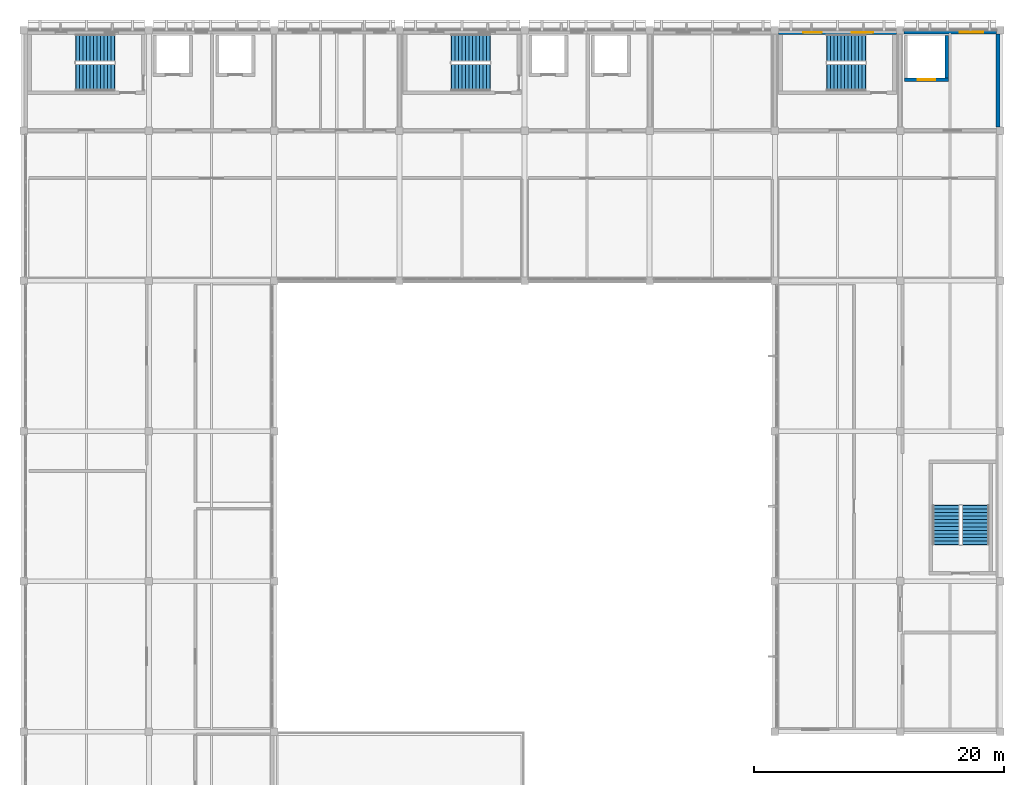
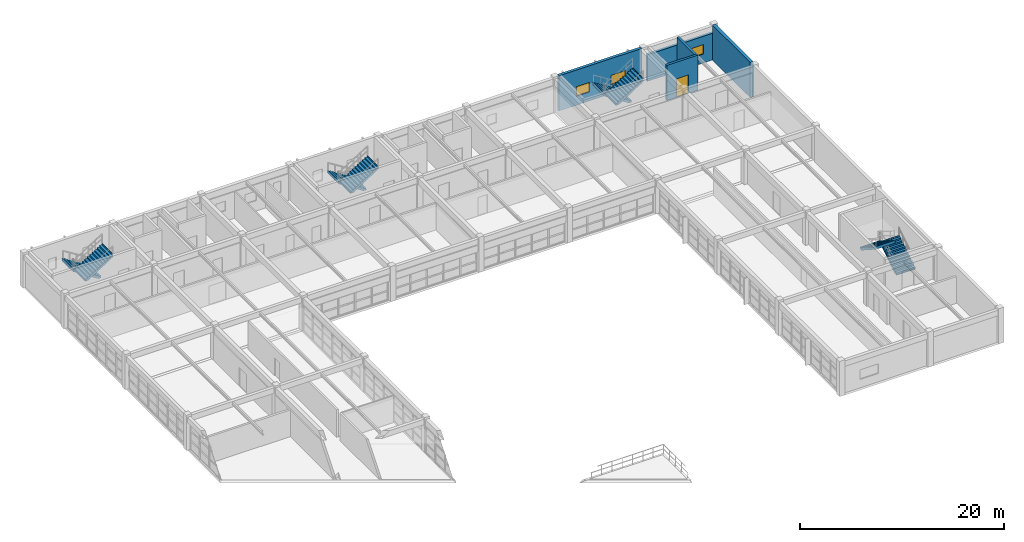
# One storey, part 23 of 28: 8 stair flights, 5 walls, 3 windows, 1 door, 4 openings, 4 elements without a shape of their own.
"""IFC4 building model written with IfcOpenShell, lengths in metres."""

from ifc_helpers import new_model, si_unit, direction, frame, frame_2d, origin, place, context, subcontext, project, spatial, polyline, rectangle, outline, extrude, material, layer, layer_set, type_object, element, fill, aggregate, save


model = new_model("IFC4")

# Units and contexts
model_context = context("Model", 3, precision=1e-05, world=origin(), true_north=direction((0.0, 1.0)))
body_context = subcontext(model_context, "Body", "Model", "MODEL_VIEW")
ifc_project = project(units=[si_unit("LENGTHUNIT", "METRE"), si_unit("AREAUNIT", "SQUARE_METRE"), si_unit("VOLUMEUNIT", "CUBIC_METRE"), si_unit("PLANEANGLEUNIT", "RADIAN"), si_unit("MASSUNIT", "GRAM", prefix="KILO")], contexts=[model_context])

# Site, building, storey
site_placement = place(None, origin())
site = spatial("IfcSite", under=ifc_project, at=site_placement, CompositionType="ELEMENT")
building_placement = place(site_placement, origin())
building = spatial("IfcBuilding", under=site, at=building_placement, Name="Kivolera Central Railway Station", CompositionType="ELEMENT")
storey_placement = place(building_placement, frame((0.0, 0.0, 18.60009765625)))
storey = spatial("IfcBuildingStorey", under=building, at=storey_placement, Name="L04", CompositionType="ELEMENT", Elevation=18.60009765625)

# Wall, openings, windows
ifc_material_1 = material(Name="Concrete C40/50", Category="concrete")
ifc_layer_1 = layer(ifc_material_1, 0.320068359375, Name="Concrete C40/50")
ifc_layer_set_1 = layer_set([ifc_layer_1], Name="Concrete C40/50")
wall_type_1 = type_object("IfcWallType", Name="WL-CORE-EXT-320", PredefinedType="SHEAR", material=ifc_layer_set_1)
wall_1_placement = place(storey_placement, frame((178.294921875, 133.840087890625, 0.0), z_axis=(0.0, 0.0, 1.0), x_axis=(1.0, 0.0, 0.0)))
wall_1 = element("IfcWall", 1, at=wall_1_placement, inside=storey, type_object=wall_type_1, Name="L04 North Street Facade Wall Bay 7", PredefinedType="SHEAR", context=body_context, shape_type="SweptSolid", body=[
    extrude(rectangle(XDim=9.41015625, YDim=0.320068359375, at=frame_2d((4.705078125, 0.0))), origin(), (0.0, 0.0, 1.0), 4.199951171875),
])
opening_1_placement = place(wall_1_placement, frame((1.955078125, 0.0, 1.050048828125)))
opening_1 = element("IfcOpeningElement", 2, at=opening_1_placement, cuts=wall_1, Name="Opening WN-04", PredefinedType="OPENING", context=body_context, shape_type="SweptSolid", body=[
    extrude(rectangle(XDim=1.5, YDim=1.14990234375, at=frame_2d((0.75, 0.574951171875))), frame((0.0, 0.169921875, 0.0), z_axis=(0.0, -1.0, 0.0), x_axis=(1.0, 0.0, 0.0)), (0.0, 0.0, 1.0), 0.340087890625),
])
opening_2_placement = place(wall_1_placement, frame((5.85498046875, 0.0, 1.050048828125)))
opening_2 = element("IfcOpeningElement", 3, at=opening_2_placement, cuts=wall_1, Name="Opening WN-05", PredefinedType="OPENING", context=body_context, shape_type="SweptSolid", body=[
    extrude(rectangle(XDim=1.699951171875, YDim=1.14990234375, at=frame_2d((0.85009765625, 0.574951171875))), frame((0.0, 0.169921875, 0.0), z_axis=(0.0, -1.0, 0.0), x_axis=(1.0, 0.0, 0.0)), (0.0, 0.0, 1.0), 0.340087890625),
])
ifc_material_2 = material(Name="Double low-E laminated glass", Category="glass")
window_type_1 = type_object("IfcWindowType", Name="WIN-WN-04", PartitioningType="SINGLE_PANEL", PredefinedType="WINDOW", material=ifc_material_2)
window_1_placement = place(opening_1_placement, origin())
window_1 = element("IfcWindow", 4, at=window_1_placement, inside=storey, type_object=window_type_1, Name="L04 North Street Window Bay 7.1", OverallHeight=1.14990234375, OverallWidth=1.5, PartitioningType="SINGLE_PANEL", PredefinedType="WINDOW", context=body_context, shape_type="SweptSolid", body=[
    extrude(rectangle(XDim=1.5, YDim=1.14990234375, at=frame_2d((0.75, 0.574951171875))), frame((0.0, 0.030029296875, 0.0), z_axis=(0.0, -1.0, 0.0), x_axis=(1.0, 0.0, 0.0)), (0.0, 0.0, 1.0), 0.06005859375),
])
fill(opening_1, window_1)
window_type_2 = type_object("IfcWindowType", Name="WIN-WN-05", PartitioningType="SINGLE_PANEL", PredefinedType="WINDOW", material=ifc_material_2)
window_2_placement = place(opening_2_placement, origin())
window_2 = element("IfcWindow", 5, at=window_2_placement, inside=storey, type_object=window_type_2, Name="L04 North Street Window Bay 7.2", OverallHeight=1.14990234375, OverallWidth=1.699951171875, PartitioningType="SINGLE_PANEL", PredefinedType="WINDOW", context=body_context, shape_type="SweptSolid", body=[
    extrude(rectangle(XDim=1.699951171875, YDim=1.14990234375, at=frame_2d((0.85009765625, 0.574951171875))), frame((0.0, 0.030029296875, 0.0), z_axis=(0.0, -1.0, 0.0), x_axis=(1.0, 0.0, 0.0)), (0.0, 0.0, 1.0), 0.06005859375),
])
fill(opening_2, window_2)

# Wall, opening, window
ifc_material_3 = material(Name="Swahili coral limestone", Category="masonry")
ifc_layer_2 = layer(ifc_material_3, 0.2900390625, Name="Swahili coral limestone")
ifc_layer_set_2 = layer_set([ifc_layer_2], Name="Swahili coral limestone")
wall_type_2 = type_object("IfcWallType", Name="WL-EXT-CORAL-290", PredefinedType="SOLIDWALL", material=ifc_layer_set_2)
wall_2_placement = place(storey_placement, frame((188.294921875, 133.85498046875, 0.0), z_axis=(0.0, 0.0, 1.0), x_axis=(1.0, 0.0, 0.0)))
wall_2 = element("IfcWall", 6, at=wall_2_placement, inside=storey, type_object=wall_type_2, Name="L04 North Street Facade Wall Bay 8", PredefinedType="SOLIDWALL", context=body_context, shape_type="SweptSolid", body=[
    extrude(rectangle(XDim=7.41015625, YDim=0.2900390625, at=frame_2d((3.705078125, 0.0))), origin(), (0.0, 0.0, 1.0), 3.18798828125),
])
opening_3_placement = place(wall_2_placement, frame((4.455078125, 0.0, 1.050048828125)))
opening_3 = element("IfcOpeningElement", 7, at=opening_3_placement, cuts=wall_2, Name="Opening WN-06", PredefinedType="OPENING", context=body_context, shape_type="SweptSolid", body=[
    extrude(rectangle(XDim=1.89990234375, YDim=1.14990234375, at=frame_2d((0.949951171875, 0.574951171875))), frame((0.0, 0.155029296875, 0.0), z_axis=(0.0, -1.0, 0.0), x_axis=(1.0, 0.0, 0.0)), (0.0, 0.0, 1.0), 0.31005859375),
])
window_type_3 = type_object("IfcWindowType", Name="WIN-WN-06", PartitioningType="SINGLE_PANEL", PredefinedType="WINDOW", material=ifc_material_2)
window_3_placement = place(opening_3_placement, origin())
window_3 = element("IfcWindow", 8, at=window_3_placement, inside=storey, type_object=window_type_3, Name="L04 North Street Window Bay 8.1", OverallHeight=1.14990234375, OverallWidth=1.89990234375, PartitioningType="SINGLE_PANEL", PredefinedType="WINDOW", context=body_context, shape_type="SweptSolid", body=[
    extrude(rectangle(XDim=1.89990234375, YDim=1.14990234375, at=frame_2d((0.949951171875, 0.574951171875))), frame((0.0, 0.030029296875, 0.0), z_axis=(0.0, -1.0, 0.0), x_axis=(1.0, 0.0, 0.0)), (0.0, 0.0, 1.0), 0.06005859375),
])
fill(opening_3, window_3)

# Wall
ifc_layer_3 = layer(ifc_material_1, 0.35009765625, Name="Concrete C40/50")
ifc_layer_set_3 = layer_set([ifc_layer_3], Name="Concrete C40/50")
wall_type_3 = type_object("IfcWallType", Name="WL-PARTY-350", PredefinedType="SOLIDWALL", material=ifc_layer_set_3)
wall_3_placement = place(storey_placement, frame((195.824951171875, 133.705078125, 0.0), z_axis=(0.0, 0.0, 1.0), x_axis=(0.0, -1.0, 0.0)))
element("IfcWall", 9, at=wall_3_placement, inside=storey, type_object=wall_type_3, Name="L04 East Infill EI 120 Party Wall 126-134", PredefinedType="SOLIDWALL", context=body_context, shape_type="SweptSolid", body=[
    extrude(rectangle(XDim=7.41015625, YDim=0.35009765625, at=frame_2d((3.705078125, 0.0))), origin(), (0.0, 0.0, 1.0), 4.199951171875),
])

# Wall, opening, door
ifc_layer_4 = layer(ifc_material_1, 0.260009765625, Name="Concrete C40/50")
ifc_layer_set_4 = layer_set([ifc_layer_4], Name="Concrete C40/50")
wall_type_4 = type_object("IfcWallType", Name="WL-SHAFT-260", PredefinedType="SHEAR", material=ifc_layer_set_4)
wall_4_placement = place(storey_placement, frame((188.340087890625, 130.070068359375, 0.0), z_axis=(0.0, 0.0, 1.0), x_axis=(1.0, 0.0, 0.0)))
wall_4 = element("IfcWall", 10, at=wall_4_placement, inside=storey, type_object=wall_type_4, Name="L04 Lift GL1 Front Shaft Wall", PredefinedType="SHEAR", context=body_context, shape_type="SweptSolid", body=[
    extrude(rectangle(XDim=3.52001953125, YDim=0.260009765625, at=frame_2d((1.760009765625, 0.0))), origin(), (0.0, 0.0, 1.0), 4.199951171875),
])
opening_4_placement = place(wall_4_placement, frame((1.06005859375, 0.0, 0.0)))
opening_4 = element("IfcOpeningElement", 11, at=opening_4_placement, cuts=wall_4, Name="Opening LD-GDS-1400", PredefinedType="OPENING", context=body_context, shape_type="SweptSolid", body=[
    extrude(rectangle(XDim=1.39990234375, YDim=2.199951171875, at=frame_2d((0.699951171875, 1.10009765625))), frame((0.0, 0.139892578125, 0.0), z_axis=(0.0, -1.0, 0.0), x_axis=(1.0, 0.0, 0.0)), (0.0, 0.0, 1.0), 0.280029296875),
])
ifc_material_4 = material(Name="Anodised aluminium", Category="aluminium")
door_type = type_object("IfcDoorType", Name="DR-LD-GDS-1400", OperationType="NOTDEFINED", PredefinedType="DOOR", material=ifc_material_4)
door_placement = place(opening_4_placement, origin())
door = element("IfcDoor", 12, at=door_placement, inside=storey, type_object=door_type, Name="L04 Lift GL1 Sliding Landing Door", OperationType="SLIDING_TO_LEFT", OverallHeight=2.199951171875, OverallWidth=1.39990234375, PredefinedType="DOOR", context=body_context, shape_type="SweptSolid", body=[
    extrude(rectangle(XDim=1.39990234375, YDim=2.199951171875, at=frame_2d((0.699951171875, 1.10009765625))), frame((0.0, 0.02490234375, 0.0), z_axis=(0.0, -1.0, 0.0), x_axis=(1.0, 0.0, 0.0)), (0.0, 0.0, 1.0), 0.050048828125),
])
fill(opening_4, door)

# Wall
wall_5_placement = place(storey_placement, frame((191.72998046875, 130.199951171875, 0.0), z_axis=(0.0, 0.0, 1.0), x_axis=(0.0, 1.0, 0.0)))
element("IfcWall", 13, at=wall_5_placement, inside=storey, type_object=wall_type_4, Name="L04 Lift GL1 East Shaft Wall", PredefinedType="SHEAR", context=body_context, shape_type="SweptSolid", body=[
    extrude(rectangle(XDim=3.400146484375, YDim=0.260009765625, at=frame_2d((1.7001953125, 0.0))), origin(), (0.0, 0.0, 1.0), 4.199951171875),
])

# Stair, stair flights
stair_type = type_object("IfcStairType", Name="STR-2160-24", PredefinedType="HALF_TURN_STAIR", material=ifc_material_1)
stair_1_placement = place(storey_placement, origin())
stair_1 = element("IfcStair", 14, at=stair_1_placement, inside=storey, type_object=stair_type, Name="L04 Protected Exit Stair ST1", PredefinedType="HALF_TURN_STAIR")
stair_flight_type = type_object("IfcStairFlightType", Name="SFL-2160-24", PredefinedType="STRAIGHT", material=ifc_material_1)
stair_flight_1_placement = place(storey_placement, frame((125.239990234375, 132.60009765625, 0.0), z_axis=(0.0, 0.0, 1.0), x_axis=(-1.0, 0.0, 0.0)))
stair_flight_1 = element("IfcStairFlight", 15, at=stair_flight_1_placement, type_object=stair_flight_type, Name="ST1 flight 1", NumberOfRisers=12, NumberOfTreads=11, PredefinedType="STRAIGHT", RiserHeight=0.175, TreadLength=0.28, context=body_context, shape_type="SweptSolid", body=[
    extrude(outline(polyline([(-0.0400390625, 0.0), (0.0, 0.0), (0.0, 0.175048828125), (0.280029296875, 0.175048828125), (0.280029296875, 0.35009765625), (0.56005859375, 0.35009765625), (0.56005859375, 0.52490234375), (0.840087890625, 0.52490234375), (0.840087890625, 0.699951171875), (1.1201171875, 0.699951171875), (1.1201171875, 0.875), (1.39990234375, 0.875), (1.39990234375, 1.050048828125), (1.679931640625, 1.050048828125), (1.679931640625, 1.22509765625), (1.9599609375, 1.22509765625), (1.9599609375, 1.39990234375), (2.239990234375, 1.39990234375), (2.239990234375, 1.574951171875), (2.52001953125, 1.574951171875), (2.52001953125, 1.75), (2.800048828125, 1.75), (2.800048828125, 1.925048828125), (3.080078125, 1.925048828125), (3.080078125, 2.10009765625), (3.1201171875, 2.10009765625), (3.1201171875, 2.064697265625), (3.1201171875, 2.029541015625), (3.1201171875, 1.994384765625), (3.1201171875, 1.959228515625), (3.1201171875, 1.924072265625), (3.1201171875, 1.888916015625), (3.1201171875, 1.853759765625), (3.1201171875, 1.818603515625), (3.1201171875, 1.783447265625), (3.1201171875, 1.748291015625), (0.28271484375, -0.080078125), (-0.0400390625, -0.072021484375), (-0.0400390625, -0.06396484375), (-0.0400390625, -0.055908203125), (-0.0400390625, -0.048095703125), (-0.0400390625, -0.0400390625), (-0.0400390625, -0.031982421875), (-0.0400390625, -0.02392578125), (-0.0400390625, -0.01611328125), (-0.0400390625, -0.008056640625), (-0.0400390625, 0.0)])), frame((0.0, 1.080078125, 0.0), z_axis=(0.0, -1.0, 0.0), x_axis=(1.0, 0.0, 0.0)), (0.0, 0.0, 1.0), 2.159912109375),
])
stair_flight_2_placement = place(storey_placement, frame((122.159912109375, 130.260009765625, 2.099853515625), z_axis=(0.0, 0.0, 1.0), x_axis=(1.0, 0.0, 0.0)))
stair_flight_2 = element("IfcStairFlight", 16, at=stair_flight_2_placement, type_object=stair_flight_type, Name="ST1 flight 2", NumberOfRisers=12, NumberOfTreads=11, PredefinedType="STRAIGHT", RiserHeight=0.175, TreadLength=0.28, context=body_context, shape_type="SweptSolid", body=[
    extrude(outline(polyline([(-0.0400390625, 0.0), (0.0, 0.0), (0.0, 0.175048828125), (0.280029296875, 0.175048828125), (0.280029296875, 0.35009765625), (0.56005859375, 0.35009765625), (0.56005859375, 0.52490234375), (0.840087890625, 0.52490234375), (0.840087890625, 0.699951171875), (1.1201171875, 0.699951171875), (1.1201171875, 0.875), (1.39990234375, 0.875), (1.39990234375, 1.050048828125), (1.679931640625, 1.050048828125), (1.679931640625, 1.22509765625), (1.9599609375, 1.22509765625), (1.9599609375, 1.39990234375), (2.239990234375, 1.39990234375), (2.239990234375, 1.574951171875), (2.52001953125, 1.574951171875), (2.52001953125, 1.75), (2.800048828125, 1.75), (2.800048828125, 1.925048828125), (3.080078125, 1.925048828125), (3.080078125, 2.10009765625), (3.1201171875, 2.10009765625), (3.1201171875, 2.064697265625), (3.1201171875, 2.029541015625), (3.1201171875, 1.994384765625), (3.1201171875, 1.959228515625), (3.1201171875, 1.924072265625), (3.1201171875, 1.888916015625), (3.1201171875, 1.853759765625), (3.1201171875, 1.818603515625), (3.1201171875, 1.783447265625), (3.1201171875, 1.748291015625), (0.28271484375, -0.080078125), (-0.0400390625, -0.072021484375), (-0.0400390625, -0.06396484375), (-0.0400390625, -0.055908203125), (-0.0400390625, -0.048095703125), (-0.0400390625, -0.0400390625), (-0.0400390625, -0.031982421875), (-0.0400390625, -0.02392578125), (-0.0400390625, -0.01611328125), (-0.0400390625, -0.008056640625), (-0.0400390625, 0.0)])), frame((0.0, 1.080078125, 0.0), z_axis=(0.0, -1.0, 0.0), x_axis=(1.0, 0.0, 0.0)), (0.0, 0.0, 1.0), 2.159912109375),
])
aggregate(stair_1, [stair_flight_1, stair_flight_2])

stair_2_placement = place(storey_placement, origin())
stair_2 = element("IfcStair", 17, at=stair_2_placement, inside=storey, type_object=stair_type, Name="L04 Protected Exit Stair ST2", PredefinedType="HALF_TURN_STAIR")
stair_flight_3_placement = place(storey_placement, frame((155.239990234375, 132.60009765625, 0.0), z_axis=(0.0, 0.0, 1.0), x_axis=(-1.0, 0.0, 0.0)))
stair_flight_3 = element("IfcStairFlight", 18, at=stair_flight_3_placement, type_object=stair_flight_type, Name="ST2 flight 1", NumberOfRisers=12, NumberOfTreads=11, PredefinedType="STRAIGHT", RiserHeight=0.175, TreadLength=0.28, context=body_context, shape_type="SweptSolid", body=[
    extrude(outline(polyline([(-0.0400390625, 0.0), (0.0, 0.0), (0.0, 0.175048828125), (0.280029296875, 0.175048828125), (0.280029296875, 0.35009765625), (0.56005859375, 0.35009765625), (0.56005859375, 0.52490234375), (0.840087890625, 0.52490234375), (0.840087890625, 0.699951171875), (1.1201171875, 0.699951171875), (1.1201171875, 0.875), (1.39990234375, 0.875), (1.39990234375, 1.050048828125), (1.679931640625, 1.050048828125), (1.679931640625, 1.22509765625), (1.9599609375, 1.22509765625), (1.9599609375, 1.39990234375), (2.239990234375, 1.39990234375), (2.239990234375, 1.574951171875), (2.52001953125, 1.574951171875), (2.52001953125, 1.75), (2.800048828125, 1.75), (2.800048828125, 1.925048828125), (3.080078125, 1.925048828125), (3.080078125, 2.10009765625), (3.1201171875, 2.10009765625), (3.1201171875, 2.064697265625), (3.1201171875, 2.029541015625), (3.1201171875, 1.994384765625), (3.1201171875, 1.959228515625), (3.1201171875, 1.924072265625), (3.1201171875, 1.888916015625), (3.1201171875, 1.853759765625), (3.1201171875, 1.818603515625), (3.1201171875, 1.783447265625), (3.1201171875, 1.748291015625), (0.28271484375, -0.080078125), (-0.0400390625, -0.072021484375), (-0.0400390625, -0.06396484375), (-0.0400390625, -0.055908203125), (-0.0400390625, -0.048095703125), (-0.0400390625, -0.0400390625), (-0.0400390625, -0.031982421875), (-0.0400390625, -0.02392578125), (-0.0400390625, -0.01611328125), (-0.0400390625, -0.008056640625), (-0.0400390625, 0.0)])), frame((0.0, 1.080078125, 0.0), z_axis=(0.0, -1.0, 0.0), x_axis=(1.0, 0.0, 0.0)), (0.0, 0.0, 1.0), 2.159912109375),
])
stair_flight_4_placement = place(storey_placement, frame((152.159912109375, 130.260009765625, 2.099853515625), z_axis=(0.0, 0.0, 1.0), x_axis=(1.0, 0.0, 0.0)))
stair_flight_4 = element("IfcStairFlight", 19, at=stair_flight_4_placement, type_object=stair_flight_type, Name="ST2 flight 2", NumberOfRisers=12, NumberOfTreads=11, PredefinedType="STRAIGHT", RiserHeight=0.175, TreadLength=0.28, context=body_context, shape_type="SweptSolid", body=[
    extrude(outline(polyline([(-0.0400390625, 0.0), (0.0, 0.0), (0.0, 0.175048828125), (0.280029296875, 0.175048828125), (0.280029296875, 0.35009765625), (0.56005859375, 0.35009765625), (0.56005859375, 0.52490234375), (0.840087890625, 0.52490234375), (0.840087890625, 0.699951171875), (1.1201171875, 0.699951171875), (1.1201171875, 0.875), (1.39990234375, 0.875), (1.39990234375, 1.050048828125), (1.679931640625, 1.050048828125), (1.679931640625, 1.22509765625), (1.9599609375, 1.22509765625), (1.9599609375, 1.39990234375), (2.239990234375, 1.39990234375), (2.239990234375, 1.574951171875), (2.52001953125, 1.574951171875), (2.52001953125, 1.75), (2.800048828125, 1.75), (2.800048828125, 1.925048828125), (3.080078125, 1.925048828125), (3.080078125, 2.10009765625), (3.1201171875, 2.10009765625), (3.1201171875, 2.064697265625), (3.1201171875, 2.029541015625), (3.1201171875, 1.994384765625), (3.1201171875, 1.959228515625), (3.1201171875, 1.924072265625), (3.1201171875, 1.888916015625), (3.1201171875, 1.853759765625), (3.1201171875, 1.818603515625), (3.1201171875, 1.783447265625), (3.1201171875, 1.748291015625), (0.28271484375, -0.080078125), (-0.0400390625, -0.072021484375), (-0.0400390625, -0.06396484375), (-0.0400390625, -0.055908203125), (-0.0400390625, -0.048095703125), (-0.0400390625, -0.0400390625), (-0.0400390625, -0.031982421875), (-0.0400390625, -0.02392578125), (-0.0400390625, -0.01611328125), (-0.0400390625, -0.008056640625), (-0.0400390625, 0.0)])), frame((0.0, 1.080078125, 0.0), z_axis=(0.0, -1.0, 0.0), x_axis=(1.0, 0.0, 0.0)), (0.0, 0.0, 1.0), 2.159912109375),
])
aggregate(stair_2, [stair_flight_3, stair_flight_4])

stair_3_placement = place(storey_placement, origin())
stair_3 = element("IfcStair", 20, at=stair_3_placement, inside=storey, type_object=stair_type, Name="L04 Protected Exit Stair ST3", PredefinedType="HALF_TURN_STAIR")
stair_flight_5_placement = place(storey_placement, frame((185.239990234375, 132.60009765625, 0.0), z_axis=(0.0, 0.0, 1.0), x_axis=(-1.0, 0.0, 0.0)))
stair_flight_5 = element("IfcStairFlight", 21, at=stair_flight_5_placement, type_object=stair_flight_type, Name="ST3 flight 1", NumberOfRisers=12, NumberOfTreads=11, PredefinedType="STRAIGHT", RiserHeight=0.175, TreadLength=0.28, context=body_context, shape_type="SweptSolid", body=[
    extrude(outline(polyline([(-0.0400390625, 0.0), (0.0, 0.0), (0.0, 0.175048828125), (0.280029296875, 0.175048828125), (0.280029296875, 0.35009765625), (0.56005859375, 0.35009765625), (0.56005859375, 0.52490234375), (0.840087890625, 0.52490234375), (0.840087890625, 0.699951171875), (1.1201171875, 0.699951171875), (1.1201171875, 0.875), (1.39990234375, 0.875), (1.39990234375, 1.050048828125), (1.679931640625, 1.050048828125), (1.679931640625, 1.22509765625), (1.9599609375, 1.22509765625), (1.9599609375, 1.39990234375), (2.239990234375, 1.39990234375), (2.239990234375, 1.574951171875), (2.52001953125, 1.574951171875), (2.52001953125, 1.75), (2.800048828125, 1.75), (2.800048828125, 1.925048828125), (3.080078125, 1.925048828125), (3.080078125, 2.10009765625), (3.1201171875, 2.10009765625), (3.1201171875, 2.064697265625), (3.1201171875, 2.029541015625), (3.1201171875, 1.994384765625), (3.1201171875, 1.959228515625), (3.1201171875, 1.924072265625), (3.1201171875, 1.888916015625), (3.1201171875, 1.853759765625), (3.1201171875, 1.818603515625), (3.1201171875, 1.783447265625), (3.1201171875, 1.748291015625), (0.28271484375, -0.080078125), (-0.0400390625, -0.072021484375), (-0.0400390625, -0.06396484375), (-0.0400390625, -0.055908203125), (-0.0400390625, -0.048095703125), (-0.0400390625, -0.0400390625), (-0.0400390625, -0.031982421875), (-0.0400390625, -0.02392578125), (-0.0400390625, -0.01611328125), (-0.0400390625, -0.008056640625), (-0.0400390625, 0.0)])), frame((0.0, 1.080078125, 0.0), z_axis=(0.0, -1.0, 0.0), x_axis=(1.0, 0.0, 0.0)), (0.0, 0.0, 1.0), 2.159912109375),
])
stair_flight_6_placement = place(storey_placement, frame((182.159912109375, 130.260009765625, 2.099853515625), z_axis=(0.0, 0.0, 1.0), x_axis=(1.0, 0.0, 0.0)))
stair_flight_6 = element("IfcStairFlight", 22, at=stair_flight_6_placement, type_object=stair_flight_type, Name="ST3 flight 2", NumberOfRisers=12, NumberOfTreads=11, PredefinedType="STRAIGHT", RiserHeight=0.175, TreadLength=0.28, context=body_context, shape_type="SweptSolid", body=[
    extrude(outline(polyline([(-0.0400390625, 0.0), (0.0, 0.0), (0.0, 0.175048828125), (0.280029296875, 0.175048828125), (0.280029296875, 0.35009765625), (0.56005859375, 0.35009765625), (0.56005859375, 0.52490234375), (0.840087890625, 0.52490234375), (0.840087890625, 0.699951171875), (1.1201171875, 0.699951171875), (1.1201171875, 0.875), (1.39990234375, 0.875), (1.39990234375, 1.050048828125), (1.679931640625, 1.050048828125), (1.679931640625, 1.22509765625), (1.9599609375, 1.22509765625), (1.9599609375, 1.39990234375), (2.239990234375, 1.39990234375), (2.239990234375, 1.574951171875), (2.52001953125, 1.574951171875), (2.52001953125, 1.75), (2.800048828125, 1.75), (2.800048828125, 1.925048828125), (3.080078125, 1.925048828125), (3.080078125, 2.10009765625), (3.1201171875, 2.10009765625), (3.1201171875, 2.064697265625), (3.1201171875, 2.029541015625), (3.1201171875, 1.994384765625), (3.1201171875, 1.959228515625), (3.1201171875, 1.924072265625), (3.1201171875, 1.888916015625), (3.1201171875, 1.853759765625), (3.1201171875, 1.818603515625), (3.1201171875, 1.783447265625), (3.1201171875, 1.748291015625), (0.28271484375, -0.080078125), (-0.0400390625, -0.072021484375), (-0.0400390625, -0.06396484375), (-0.0400390625, -0.055908203125), (-0.0400390625, -0.048095703125), (-0.0400390625, -0.0400390625), (-0.0400390625, -0.031982421875), (-0.0400390625, -0.02392578125), (-0.0400390625, -0.01611328125), (-0.0400390625, -0.008056640625), (-0.0400390625, 0.0)])), frame((0.0, 1.080078125, 0.0), z_axis=(0.0, -1.0, 0.0), x_axis=(1.0, 0.0, 0.0)), (0.0, 0.0, 1.0), 2.159912109375),
])
aggregate(stair_3, [stair_flight_5, stair_flight_6])

stair_4_placement = place(storey_placement, origin())
stair_4 = element("IfcStair", 23, at=stair_4_placement, inside=storey, type_object=stair_type, Name="L04 Protected Exit Stair ST11", PredefinedType="HALF_TURN_STAIR")
stair_flight_7_placement = place(storey_placement, frame((194.02001953125, 92.9599609375, 0.0), z_axis=(0.0, 0.0, 1.0), x_axis=(0.0, 1.0, 0.0)))
stair_flight_7 = element("IfcStairFlight", 24, at=stair_flight_7_placement, type_object=stair_flight_type, Name="ST11 flight 1", NumberOfRisers=12, NumberOfTreads=11, PredefinedType="STRAIGHT", RiserHeight=0.175, TreadLength=0.28, context=body_context, shape_type="SweptSolid", body=[
    extrude(outline(polyline([(-0.0400390625, 0.0), (0.0, 0.0), (0.0, 0.175048828125), (0.280029296875, 0.175048828125), (0.280029296875, 0.35009765625), (0.56005859375, 0.35009765625), (0.56005859375, 0.52490234375), (0.840087890625, 0.52490234375), (0.840087890625, 0.699951171875), (1.1201171875, 0.699951171875), (1.1201171875, 0.875), (1.39990234375, 0.875), (1.39990234375, 1.050048828125), (1.679931640625, 1.050048828125), (1.679931640625, 1.22509765625), (1.9599609375, 1.22509765625), (1.9599609375, 1.39990234375), (2.239990234375, 1.39990234375), (2.239990234375, 1.574951171875), (2.52001953125, 1.574951171875), (2.52001953125, 1.75), (2.800048828125, 1.75), (2.800048828125, 1.925048828125), (3.080078125, 1.925048828125), (3.080078125, 2.10009765625), (3.1201171875, 2.10009765625), (3.1201171875, 2.064697265625), (3.1201171875, 2.029541015625), (3.1201171875, 1.994384765625), (3.1201171875, 1.959228515625), (3.1201171875, 1.924072265625), (3.1201171875, 1.888916015625), (3.1201171875, 1.853759765625), (3.1201171875, 1.818603515625), (3.1201171875, 1.783447265625), (3.1201171875, 1.748291015625), (0.28271484375, -0.080078125), (-0.0400390625, -0.072021484375), (-0.0400390625, -0.06396484375), (-0.0400390625, -0.055908203125), (-0.0400390625, -0.048095703125), (-0.0400390625, -0.0400390625), (-0.0400390625, -0.031982421875), (-0.0400390625, -0.02392578125), (-0.0400390625, -0.01611328125), (-0.0400390625, -0.008056640625), (-0.0400390625, 0.0)])), frame((0.0, 1.080078125, 0.0), z_axis=(0.0, -1.0, 0.0), x_axis=(1.0, 0.0, 0.0)), (0.0, 0.0, 1.0), 2.159912109375),
])
stair_flight_8_placement = place(storey_placement, frame((191.679931640625, 96.0400390625, 2.099853515625), z_axis=(0.0, 0.0, 1.0), x_axis=(0.0, -1.0, 0.0)))
stair_flight_8 = element("IfcStairFlight", 25, at=stair_flight_8_placement, type_object=stair_flight_type, Name="ST11 flight 2", NumberOfRisers=12, NumberOfTreads=11, PredefinedType="STRAIGHT", RiserHeight=0.175, TreadLength=0.28, context=body_context, shape_type="SweptSolid", body=[
    extrude(outline(polyline([(-0.0400390625, 0.0), (0.0, 0.0), (0.0, 0.175048828125), (0.280029296875, 0.175048828125), (0.280029296875, 0.35009765625), (0.56005859375, 0.35009765625), (0.56005859375, 0.52490234375), (0.840087890625, 0.52490234375), (0.840087890625, 0.699951171875), (1.1201171875, 0.699951171875), (1.1201171875, 0.875), (1.39990234375, 0.875), (1.39990234375, 1.050048828125), (1.679931640625, 1.050048828125), (1.679931640625, 1.22509765625), (1.9599609375, 1.22509765625), (1.9599609375, 1.39990234375), (2.239990234375, 1.39990234375), (2.239990234375, 1.574951171875), (2.52001953125, 1.574951171875), (2.52001953125, 1.75), (2.800048828125, 1.75), (2.800048828125, 1.925048828125), (3.080078125, 1.925048828125), (3.080078125, 2.10009765625), (3.1201171875, 2.10009765625), (3.1201171875, 2.064697265625), (3.1201171875, 2.029541015625), (3.1201171875, 1.994384765625), (3.1201171875, 1.959228515625), (3.1201171875, 1.924072265625), (3.1201171875, 1.888916015625), (3.1201171875, 1.853759765625), (3.1201171875, 1.818603515625), (3.1201171875, 1.783447265625), (3.1201171875, 1.748291015625), (0.28271484375, -0.080078125), (-0.0400390625, -0.072021484375), (-0.0400390625, -0.06396484375), (-0.0400390625, -0.055908203125), (-0.0400390625, -0.048095703125), (-0.0400390625, -0.0400390625), (-0.0400390625, -0.031982421875), (-0.0400390625, -0.02392578125), (-0.0400390625, -0.01611328125), (-0.0400390625, -0.008056640625), (-0.0400390625, 0.0)])), frame((0.0, 1.080078125, 0.0), z_axis=(0.0, -1.0, 0.0), x_axis=(1.0, 0.0, 0.0)), (0.0, 0.0, 1.0), 2.159912109375),
])
aggregate(stair_4, [stair_flight_7, stair_flight_8])

save(model, "model.ifc")
